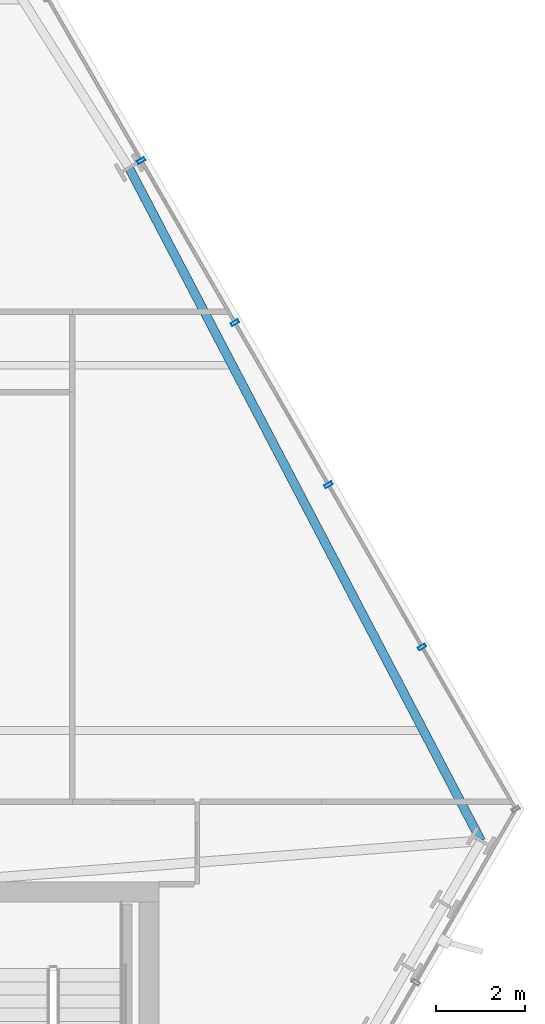
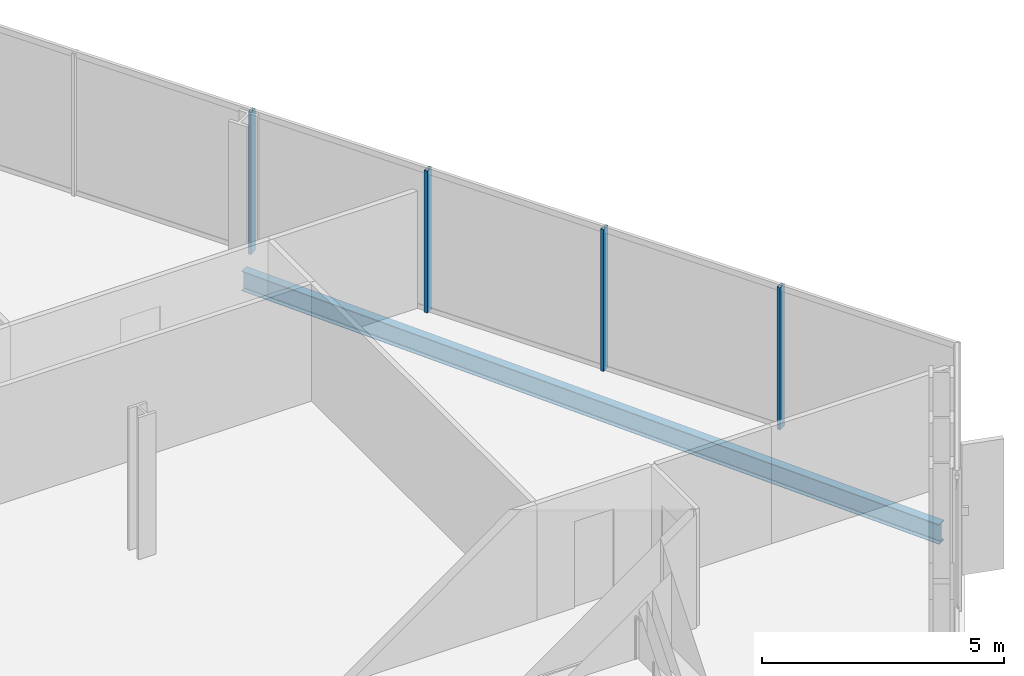
# One storey, part 17 of 31: 4 members, 1 beam, 1 element without a shape of its own.
"""IFC4 building model written with IfcOpenShell, lengths in metres."""

import ifcopenshell
import ifcopenshell.guid

model = None  # the IFC model being written
_history = None  # IfcOwnerHistory: only IFC2X3 demands one
_inside = {}  # id of a spatial element -> (the spatial element, [elements in it])
_under = {}  # id of a project, library or spatial element -> (it, [spatial elements below it])
_declared = {}  # id of a project -> (the project, [libraries it declares])
_typed = {}  # id of a type object -> (the type object, [elements of that type])
_made_of = {}  # id of a material, layer set ... -> (it, [elements and type objects made of it])


def new_model(schema):
    """Start an empty IFC model of exactly this schema.

    Asked for "IFC4X3", IfcOpenShell would pick the latest addendum, in which some entities
    have other attributes; the version numbers below select the first issue.
    IFC2X3 requires an IfcOwnerHistory on every rooted entity: one is made here for all.
    """
    global model, _history
    if schema == "IFC4X3":
        model = ifcopenshell.file(schema_version=(4, 3, 0, 0))
    else:
        model = ifcopenshell.file(schema=schema)
    _inside.clear()
    _under.clear()
    _declared.clear()
    _typed.clear()
    _made_of.clear()
    _history = None
    if model.schema == "IFC2X3":
        org = make("IfcOrganization", Name="unknown")
        user = make(
            "IfcPersonAndOrganization",
            ThePerson=make("IfcPerson", FamilyName="unknown"),
            TheOrganization=org,
        )
        app = make(
            "IfcApplication",
            ApplicationDeveloper=org,
            Version="unknown",
            ApplicationFullName="unknown",
            ApplicationIdentifier="unknown",
        )
        _history = make(
            "IfcOwnerHistory",
            OwningUser=user,
            OwningApplication=app,
            ChangeAction="ADDED",
            CreationDate=0,
        )
    return model


def make(cls, **values):
    """One entity of the class cls with the attributes given. An attribute that is None is left unset."""
    return model.create_entity(
        cls, **{name: value for name, value in values.items() if value is not None}
    )


def rooted(cls, **values):
    """An entity with a GlobalId (a new one), such as an element, a storey or a relation."""
    return make(cls, GlobalId=ifcopenshell.guid.new(), OwnerHistory=_history, **values)


def si_unit(unit_type, name, prefix=None):
    """IfcSIUnit, for example si_unit("LENGTHUNIT", "METRE", prefix="MILLI")."""
    return make("IfcSIUnit", UnitType=unit_type, Prefix=prefix, Name=name)


def assignment(units):
    """IfcUnitAssignment: the units of a project."""
    return None if units is None else make("IfcUnitAssignment", Units=units)


def point(xyz):
    """IfcCartesianPoint."""
    return None if xyz is None else make("IfcCartesianPoint", Coordinates=xyz)


def direction(xyz):
    """IfcDirection."""
    return None if xyz is None else make("IfcDirection", DirectionRatios=xyz)


def frame(location, z_axis=None, x_axis=None):
    """IfcAxis2Placement3D, a coordinate frame: its origin and axes. An axis left out is left unset."""
    return make(
        "IfcAxis2Placement3D",
        Location=point(location),
        Axis=direction(z_axis),
        RefDirection=direction(x_axis),
    )


def frame_2d(location, x_axis=None):
    """IfcAxis2Placement2D, a coordinate frame in the plane: its origin and x axis."""
    return make(
        "IfcAxis2Placement2D", Location=point(location), RefDirection=direction(x_axis)
    )


def origin():
    """The frame at (0, 0, 0) with its axes left unset."""
    return frame((0.0, 0.0, 0.0))


def origin_2d():
    """The frame at (0, 0) in the plane with its x axis left unset."""
    return frame_2d((0.0, 0.0))


def place(relative_to, where):
    """IfcLocalPlacement: puts the frame where relative to a parent placement (None: the world)."""
    return make(
        "IfcLocalPlacement", PlacementRelTo=relative_to, RelativePlacement=where
    )


def context(
    kind, dimensions, precision=None, world=None, true_north=None, identifier=None
):
    """IfcGeometricRepresentationContext, for example the 3D "Model" context."""
    return make(
        "IfcGeometricRepresentationContext",
        ContextIdentifier=identifier,
        ContextType=kind,
        CoordinateSpaceDimension=dimensions,
        Precision=precision,
        WorldCoordinateSystem=world,
        TrueNorth=true_north,
    )


def subcontext(parent, identifier, kind, view, scale=None):
    """IfcGeometricRepresentationSubContext, for example "Body" below "Model"."""
    return make(
        "IfcGeometricRepresentationSubContext",
        ContextIdentifier=identifier,
        ContextType=kind,
        ParentContext=parent,
        TargetScale=scale,
        TargetView=view,
    )


def project(units=None, contexts=None):
    """IfcProject with its units and contexts."""
    return rooted(
        "IfcProject",
        Name="project",
        RepresentationContexts=contexts,
        UnitsInContext=assignment(units),
    )


def spatial(cls, under=None, at=None, **own):
    """A site, building, storey or space (cls), placed at a placement, below another one or the project."""
    s = rooted(cls, ObjectPlacement=at, **own)
    if under is not None:
        _under.setdefault(under.id(), (under, []))[1].append(s)
    return s


def profile(cls, at=None, kind="AREA", **sizes):
    """A parametric profile (cls). Its sizes go by their IFC names, for example OverallWidth=200.0."""
    return make(cls, ProfileType=kind, Position=at, **sizes)


def hollow_rectangle(**sizes):
    """IfcRectangleHollowProfileDef."""
    return profile("IfcRectangleHollowProfileDef", **sizes)


def i_section(**sizes):
    """IfcIShapeProfileDef."""
    return profile("IfcIShapeProfileDef", **sizes)


def extrude(swept, where, along, depth):
    """IfcExtrudedAreaSolid: the profile swept, set in the frame where, extruded along a direction by depth."""
    return make(
        "IfcExtrudedAreaSolid",
        SweptArea=swept,
        Position=where,
        ExtrudedDirection=direction(along),
        Depth=depth,
    )


def shape(context_of_items, identifier, shape_type, items):
    """IfcShapeRepresentation: the items that make up one representation, for example the "Body"."""
    return make(
        "IfcShapeRepresentation",
        ContextOfItems=context_of_items,
        RepresentationIdentifier=identifier,
        RepresentationType=shape_type,
        Items=items,
    )


def material(Name=None, Category=None):
    """IfcMaterial."""
    return make("IfcMaterial", Name=Name, Category=Category)


def layer(
    of_material, thickness, ventilated=None, Name=None, Category=None, Priority=None
):
    """IfcMaterialLayer: one layer of a wall or slab, of a material (None: an air gap)."""
    return make(
        "IfcMaterialLayer",
        Material=of_material,
        LayerThickness=thickness,
        IsVentilated=ventilated,
        Name=Name,
        Category=Category,
        Priority=Priority,
    )


def layer_set(layers, Name=None):
    """IfcMaterialLayerSet."""
    return make("IfcMaterialLayerSet", MaterialLayers=layers, LayerSetName=Name)


def material_profile(
    of_material, cross_section, Name=None, Category=None, Priority=None
):
    """IfcMaterialProfile: a cross section and its material."""
    return make(
        "IfcMaterialProfile",
        Name=Name,
        Material=of_material,
        Profile=cross_section,
        Priority=Priority,
        Category=Category,
    )


def profile_set(profiles, Name=None, composite=None):
    """IfcMaterialProfileSet."""
    return make(
        "IfcMaterialProfileSet",
        Name=Name,
        MaterialProfiles=profiles,
        CompositeProfile=composite,
    )


def made_of(thing, what):
    """Note that an element or type object is made of a material, layer set ...; save() writes the relation."""
    if what is not None:
        _made_of.setdefault(what.id(), (what, []))[1].append(thing)
    return thing


def type_object(cls, material=None, **own):
    """A type object (cls), such as IfcWallType, which elements share."""
    return made_of(rooted(cls, **own), material)


def element(
    cls,
    number,
    at=None,
    inside=None,
    cuts=None,
    type_object=None,
    material=None,
    context=None,
    identifier="Body",
    shape_type=None,
    held_by="IfcProductDefinitionShape",
    body=None,
    shapes=None,
    **own,
):
    """One element of the class cls, such as IfcWall. Its Tag is "e" and its number.

    at: its placement. inside: the storey or other place that contains it. cuts: it is an
    opening in that element (IfcRelVoidsElement). A single representation is given by context,
    identifier, shape_type and body (its items); several are given by shapes. held_by: the class
    of the entity that holds the representations. save() writes the other relations.
    """
    e = rooted(cls, Tag="e%d" % number, ObjectPlacement=at, **own)
    if body is not None:
        shapes = [shape(context, identifier, shape_type, body)]
    if shapes is not None:
        e.Representation = make(held_by, Representations=shapes)
    if inside is not None:
        _inside.setdefault(inside.id(), (inside, []))[1].append(e)
    if cuts is not None:
        rooted(
            "IfcRelVoidsElement", RelatingBuildingElement=cuts, RelatedOpeningElement=e
        )
    if type_object is not None:
        _typed.setdefault(type_object.id(), (type_object, []))[1].append(e)
    return made_of(e, material)


def aggregate(whole, parts):
    """IfcRelAggregates: a whole, such as a stair, and the parts it consists of."""
    return rooted("IfcRelAggregates", RelatingObject=whole, RelatedObjects=parts)


def save(model, path):
    """Write the relations noted so far, then the file.

    IfcRelAggregates (storeys below a building ...), IfcRelContainedInSpatialStructure (elements
    in a storey), IfcRelDefinesByType, IfcRelAssociatesMaterial and IfcRelDeclares: one each for
    every whole, place, type object, material and project.
    """
    for whole, parts in _under.values():
        aggregate(whole, parts)
    for where, things in _inside.values():
        rooted(
            "IfcRelContainedInSpatialStructure",
            RelatedElements=things,
            RelatingStructure=where,
        )
    for kind, things in _typed.values():
        rooted("IfcRelDefinesByType", RelatedObjects=things, RelatingType=kind)
    for what, things in _made_of.values():
        rooted("IfcRelAssociatesMaterial", RelatedObjects=things, RelatingMaterial=what)
    for by, libraries in _declared.values():
        rooted("IfcRelDeclares", RelatingContext=by, RelatedDefinitions=libraries)
    model.write(path)


model = new_model("IFC4")

# Units and contexts
model_context = context("Model", 3, precision=1e-05, world=origin(), true_north=direction((0.0, 1.0)))
body_context = subcontext(model_context, "Body", "Model", "MODEL_VIEW")
ifc_project = project(units=[si_unit("LENGTHUNIT", "METRE"), si_unit("AREAUNIT", "SQUARE_METRE"), si_unit("VOLUMEUNIT", "CUBIC_METRE"), si_unit("PLANEANGLEUNIT", "RADIAN"), si_unit("MASSUNIT", "GRAM", prefix="KILO")], contexts=[model_context])

# Site, building, storey
site_placement = place(None, origin())
site = spatial("IfcSite", under=ifc_project, at=site_placement, CompositionType="ELEMENT")
building_placement = place(site_placement, origin())
building = spatial("IfcBuilding", under=site, at=building_placement, Name="Ndaravel Arena Tower", CompositionType="ELEMENT")
storey_placement = place(building_placement, frame((0.0, 0.0, 104.39990234375)))
storey = spatial("IfcBuildingStorey", under=building, at=storey_placement, Name="L24", CompositionType="ELEMENT", Elevation=104.39990234375)

# Beam
ifc_material_1 = material(Name="Steel S355", Category="steel")
ifc_material_profile_1 = material_profile(ifc_material_1, i_section(OverallWidth=0.199951171875, OverallDepth=0.5, WebThickness=0.01025390625, FlangeThickness=0.01611328125, FilletRadius=0.02099609375, at=origin_2d()), Name="IPE 500")
ifc_profile_set_1 = profile_set([ifc_material_profile_1], Name="Steel S355")
beam_type = type_object("IfcBeamType", Name="BM-SPAN-IPE500", PredefinedType="SPANDREL", material=ifc_profile_set_1)
beam_placement = place(storey_placement, frame((64.778076171875, 16.123291015625, -0.469970703125), z_axis=(-0.463540575518, 0.886075693634, 0.0), x_axis=(-0.886075693634, -0.463540575518, 0.0)))
element("IfcBeam", 1, at=beam_placement, inside=storey, type_object=beam_type, Name="L24 Perimeter Spandrel Beam SP-09", PredefinedType="SPANDREL", context=body_context, shape_type="SweptSolid", body=[
    extrude(i_section(OverallWidth=0.199951171875, OverallDepth=0.5, WebThickness=0.01025390625, FlangeThickness=0.01611328125, FilletRadius=0.02099609375, at=origin_2d()), origin(), (0.0, 0.0, 1.0), 17.057861328125),
])

# Curtain wall, members
ifc_material_2 = material(Name="Aluminium", Category="aluminium")
ifc_layer = layer(ifc_material_2, 0.179931640625)
ifc_layer_set = layer_set([ifc_layer], Name="Aluminium")
curtain_wall_type = type_object("IfcCurtainWallType", Name="CW-SYS-03", PredefinedType="NOTDEFINED", material=ifc_layer_set)
curtain_wall_placement = place(storey_placement, origin())
curtain_wall = element("IfcCurtainWall", 2, at=curtain_wall_placement, inside=storey, type_object=curtain_wall_type, Name="L24 Faceted Crystal Curtain Wall CW-L24-E03", PredefinedType="NOTDEFINED")
ifc_material_3 = material(Name="Aluminium", Category="aluminium")
ifc_material_profile_2 = material_profile(ifc_material_3, hollow_rectangle(XDim=0.074951171875, YDim=0.179931640625, WallThickness=0.00390625, at=origin_2d()), Name="CW MULLION 75x180x4")
ifc_profile_set_2 = profile_set([ifc_material_profile_2], Name="Aluminium")
member_type = type_object("IfcMemberType", Name="MEM-CW-MUL180", PredefinedType="MULLION", material=ifc_profile_set_2)
member_1_placement = place(storey_placement, frame((63.455078125, 20.47412109375, 0.0), z_axis=(0.0, 0.0, 1.0), x_axis=(-0.5, 0.866025403784, 0.0)))
member_1 = element("IfcMember", 3, at=member_1_placement, type_object=member_type, Name="CW-L24-E03 Mullion 01", PredefinedType="MULLION", context=body_context, shape_type="SweptSolid", body=[
    extrude(hollow_rectangle(XDim=0.074951171875, YDim=0.179931640625, WallThickness=0.00390625, at=origin_2d()), origin(), (0.0, 0.0, 1.0), 3.580078125),
])
member_2_placement = place(storey_placement, frame((61.352783203125, 24.115234375, 0.0), z_axis=(0.0, 0.0, 1.0), x_axis=(-0.5, 0.866025403784, 0.0)))
member_2 = element("IfcMember", 4, at=member_2_placement, type_object=member_type, Name="CW-L24-E03 Mullion 02", PredefinedType="MULLION", context=body_context, shape_type="SweptSolid", body=[
    extrude(hollow_rectangle(XDim=0.074951171875, YDim=0.179931640625, WallThickness=0.00390625, at=origin_2d()), origin(), (0.0, 0.0, 1.0), 3.580078125),
])
member_3_placement = place(storey_placement, frame((59.25048828125, 27.756591796875, 0.0), z_axis=(0.0, 0.0, 1.0), x_axis=(-0.5, 0.866025403784, 0.0)))
member_3 = element("IfcMember", 5, at=member_3_placement, type_object=member_type, Name="CW-L24-E03 Mullion 03", PredefinedType="MULLION", context=body_context, shape_type="SweptSolid", body=[
    extrude(hollow_rectangle(XDim=0.074951171875, YDim=0.179931640625, WallThickness=0.00390625, at=origin_2d()), origin(), (0.0, 0.0, 1.0), 3.580078125),
])
member_4_placement = place(storey_placement, frame((57.148193359375, 31.397705078125, 0.0), z_axis=(0.0, 0.0, 1.0), x_axis=(-0.5, 0.866025403784, 0.0)))
member_4 = element("IfcMember", 6, at=member_4_placement, type_object=member_type, Name="CW-L24-E03 Mullion 04", PredefinedType="MULLION", context=body_context, shape_type="SweptSolid", body=[
    extrude(hollow_rectangle(XDim=0.074951171875, YDim=0.179931640625, WallThickness=0.00390625, at=origin_2d()), origin(), (0.0, 0.0, 1.0), 3.580078125),
])
aggregate(curtain_wall, [member_1, member_2, member_3, member_4])

save(model, "model.ifc")
